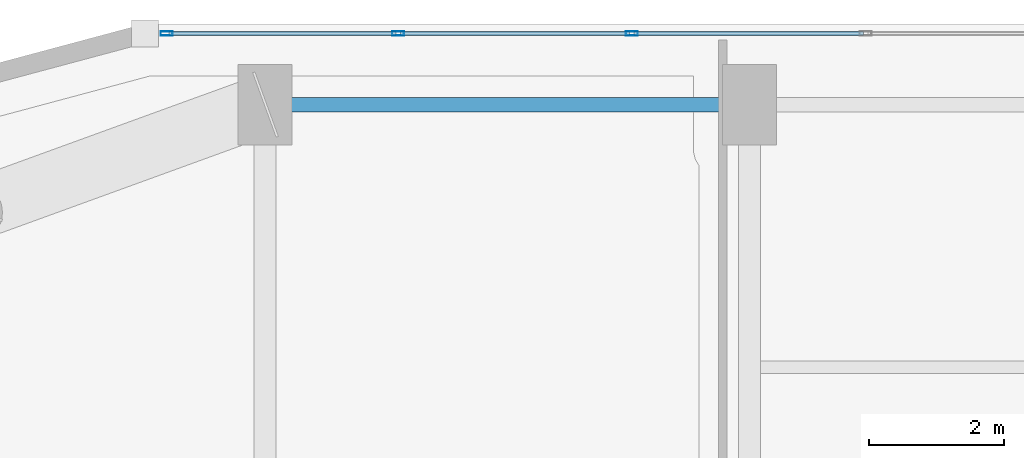
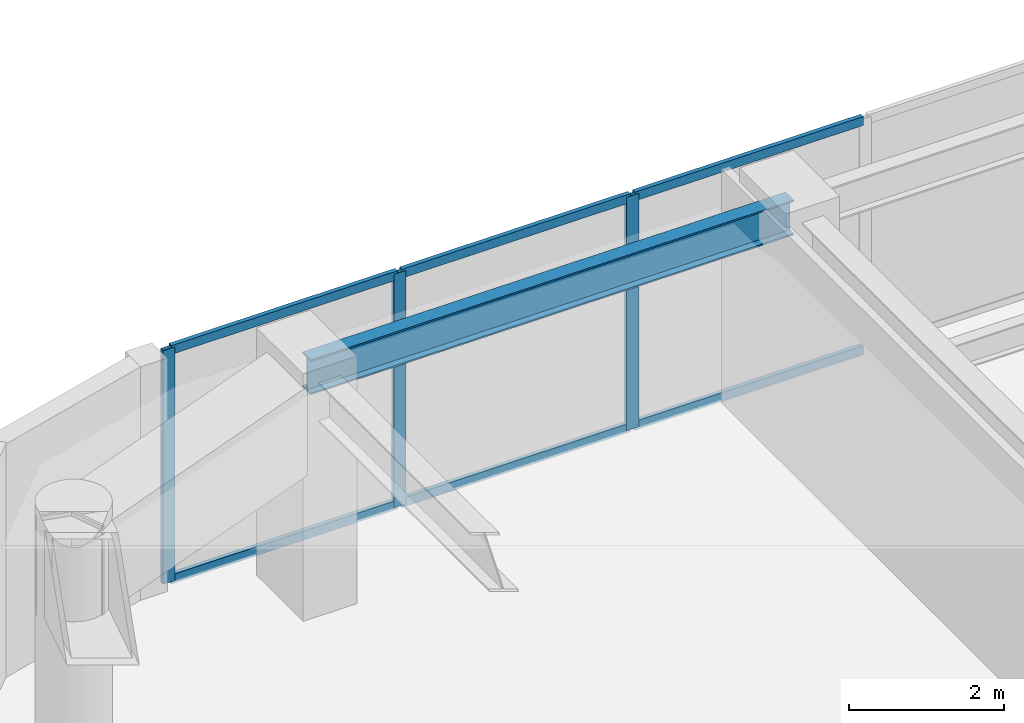
# One storey, part 17 of 30: 9 members, 1 beam, 1 element without a shape of its own.
"""IFC4 building model written with IfcOpenShell, lengths in metres."""

from ifc_helpers import new_model, si_unit, direction, frame, origin, origin_2d, place, context, subcontext, project, spatial, hollow_rectangle, i_section, extrude, material, layer, layer_set, material_profile, profile_set, type_object, element, aggregate, save


model = new_model("IFC4")

# Units and contexts
model_context = context("Model", 3, precision=1e-05, world=origin(), true_north=direction((0.0, 1.0)))
body_context = subcontext(model_context, "Body", "Model", "MODEL_VIEW")
ifc_project = project(units=[si_unit("LENGTHUNIT", "METRE"), si_unit("AREAUNIT", "SQUARE_METRE"), si_unit("VOLUMEUNIT", "CUBIC_METRE"), si_unit("PLANEANGLEUNIT", "RADIAN"), si_unit("MASSUNIT", "GRAM", prefix="KILO")], contexts=[model_context])

# Site, building, storey
site_placement = place(None, origin())
site = spatial("IfcSite", under=ifc_project, at=site_placement, CompositionType="ELEMENT")
building_placement = place(site_placement, origin())
building = spatial("IfcBuilding", under=site, at=building_placement, Name="Kiyonajd Concourse Tower", CompositionType="ELEMENT")
storey_placement = place(building_placement, frame((0.0, 0.0, 170.10009765625)))
storey = spatial("IfcBuildingStorey", under=building, at=storey_placement, Name="L43", CompositionType="ELEMENT", Elevation=170.10009765625)

# Beam
ifc_material_1 = material(Name="Steel ASTM A992 Grade 50", Category="steel")
ifc_material_profile_1 = material_profile(ifc_material_1, i_section(OverallWidth=0.214111328125, OverallDepth=0.549072265625, WebThickness=0.0146484375, FlangeThickness=0.023681640625, at=origin_2d()), Name="W530X138")
ifc_profile_set_1 = profile_set([ifc_material_profile_1], Name="Steel ASTM A992 Grade 50")
beam_type = type_object("IfcBeamType", Name="BM-SPAN-530A", PredefinedType="SPANDREL", material=ifc_profile_set_1)
beam_placement = place(storey_placement, frame((32.39990234375, 61.199951171875, 3.405517578125), z_axis=(-1.0, 0.0, 0.0), x_axis=(0.0, -1.0, 0.0)))
element("IfcBeam", 1, at=beam_placement, inside=storey, type_object=beam_type, Name="L43 Perimeter Bundled Tube Spandrel", PredefinedType="SPANDREL", context=body_context, shape_type="SweptSolid", body=[
    extrude(i_section(OverallWidth=0.214111328125, OverallDepth=0.549072265625, WebThickness=0.0146484375, FlangeThickness=0.023681640625, at=origin_2d()), origin(), (0.0, 0.0, 1.0), 7.199951171875),
])

# Curtain wall, members
ifc_material_2 = material(Name="Thermally Broken Anodised Aluminium", Category="aluminium")
ifc_layer = layer(ifc_material_2, 0.179931640625)
ifc_layer_set = layer_set([ifc_layer], Name="Thermally Broken Anodised Aluminium")
curtain_wall_type = type_object("IfcCurtainWallType", Name="CW-SYS-03", PredefinedType="NOTDEFINED", material=ifc_layer_set)
curtain_wall_placement = place(storey_placement, origin())
curtain_wall = element("IfcCurtainWall", 2, at=curtain_wall_placement, inside=storey, type_object=curtain_wall_type, Name="L43 Unitised Curtain Wall CW3", PredefinedType="NOTDEFINED")
ifc_material_profile_2 = material_profile(ifc_material_2, hollow_rectangle(XDim=0.06494140625, YDim=0.179931640625, WallThickness=0.00390625, at=origin_2d()), Name="MULL-65x180")
ifc_profile_set_2 = profile_set([ifc_material_profile_2], Name="Thermally Broken Anodised Aluminium")
member_type_1 = type_object("IfcMemberType", Name="MB-CW-MULL1", PredefinedType="MULLION", material=ifc_profile_set_2)
member_1_placement = place(storey_placement, frame((23.740966796875, 62.260009765625, 0.0), z_axis=(0.0, 0.0, 1.0), x_axis=(0.0, 1.0, 0.0)))
member_1 = element("IfcMember", 3, at=member_1_placement, type_object=member_type_1, Name="CW3 mullion 1", PredefinedType="MULLION", context=body_context, shape_type="SweptSolid", body=[
    extrude(hollow_rectangle(XDim=0.06494140625, YDim=0.179931640625, WallThickness=0.00390625, at=origin_2d()), origin(), (0.0, 0.0, 1.0), 3.679931640625),
])
member_2_placement = place(storey_placement, frame((27.180908203125, 62.260009765625, 0.0), z_axis=(0.0, 0.0, 1.0), x_axis=(0.0, 1.0, 0.0)))
member_2 = element("IfcMember", 4, at=member_2_placement, type_object=member_type_1, Name="CW3 mullion 2", PredefinedType="MULLION", context=body_context, shape_type="SweptSolid", body=[
    extrude(hollow_rectangle(XDim=0.06494140625, YDim=0.179931640625, WallThickness=0.00390625, at=origin_2d()), origin(), (0.0, 0.0, 1.0), 3.679931640625),
])
member_3_placement = place(storey_placement, frame((30.6533203125, 62.260009765625, 0.0), z_axis=(0.0, 0.0, 1.0), x_axis=(0.0, 1.0, 0.0)))
member_3 = element("IfcMember", 5, at=member_3_placement, type_object=member_type_1, Name="CW3 mullion 3", PredefinedType="MULLION", context=body_context, shape_type="SweptSolid", body=[
    extrude(hollow_rectangle(XDim=0.06494140625, YDim=0.179931640625, WallThickness=0.00390625, at=origin_2d()), origin(), (0.0, 0.0, 1.0), 3.679931640625),
])
ifc_material_profile_3 = material_profile(ifc_material_2, hollow_rectangle(XDim=0.06494140625, YDim=0.139892578125, WallThickness=0.00390625, at=origin_2d()), Name="TRAN-65x140")
ifc_profile_set_3 = profile_set([ifc_material_profile_3], Name="Thermally Broken Anodised Aluminium")
member_type_2 = type_object("IfcMemberType", Name="MB-CW-TRAN1", PredefinedType="USERDEFINED", material=ifc_profile_set_3)
member_4_placement = place(storey_placement, frame((23.7734375, 62.260009765625, 0.032470703125), z_axis=(1.0, 0.0, 0.0), x_axis=(0.0, 1.0, 0.0)))
member_4 = element("IfcMember", 6, at=member_4_placement, type_object=member_type_2, Name="CW3 transom 1.1", ObjectType="TRANSOM", PredefinedType="USERDEFINED", context=body_context, shape_type="SweptSolid", body=[
    extrude(hollow_rectangle(XDim=0.06494140625, YDim=0.139892578125, WallThickness=0.00390625, at=origin_2d()), origin(), (0.0, 0.0, 1.0), 3.374755859375),
])
member_5_placement = place(storey_placement, frame((23.7734375, 62.260009765625, 3.6474609375), z_axis=(1.0, 0.0, 0.0), x_axis=(0.0, 1.0, 0.0)))
member_5 = element("IfcMember", 7, at=member_5_placement, type_object=member_type_2, Name="CW3 transom 1.2", ObjectType="TRANSOM", PredefinedType="USERDEFINED", context=body_context, shape_type="SweptSolid", body=[
    extrude(hollow_rectangle(XDim=0.06494140625, YDim=0.139892578125, WallThickness=0.00390625, at=origin_2d()), origin(), (0.0, 0.0, 1.0), 3.374755859375),
])
member_6_placement = place(storey_placement, frame((27.21337890625, 62.260009765625, 0.032470703125), z_axis=(1.0, 0.0, 0.0), x_axis=(0.0, 1.0, 0.0)))
member_6 = element("IfcMember", 8, at=member_6_placement, type_object=member_type_2, Name="CW3 transom 2.1", ObjectType="TRANSOM", PredefinedType="USERDEFINED", context=body_context, shape_type="SweptSolid", body=[
    extrude(hollow_rectangle(XDim=0.06494140625, YDim=0.139892578125, WallThickness=0.00390625, at=origin_2d()), origin(), (0.0, 0.0, 1.0), 3.4072265625),
])
member_7_placement = place(storey_placement, frame((27.21337890625, 62.260009765625, 3.6474609375), z_axis=(1.0, 0.0, 0.0), x_axis=(0.0, 1.0, 0.0)))
member_7 = element("IfcMember", 9, at=member_7_placement, type_object=member_type_2, Name="CW3 transom 2.2", ObjectType="TRANSOM", PredefinedType="USERDEFINED", context=body_context, shape_type="SweptSolid", body=[
    extrude(hollow_rectangle(XDim=0.06494140625, YDim=0.139892578125, WallThickness=0.00390625, at=origin_2d()), origin(), (0.0, 0.0, 1.0), 3.4072265625),
])
member_8_placement = place(storey_placement, frame((30.685791015625, 62.260009765625, 0.032470703125), z_axis=(1.0, 0.0, 0.0), x_axis=(0.0, 1.0, 0.0)))
member_8 = element("IfcMember", 10, at=member_8_placement, type_object=member_type_2, Name="CW3 transom 3.1", ObjectType="TRANSOM", PredefinedType="USERDEFINED", context=body_context, shape_type="SweptSolid", body=[
    extrude(hollow_rectangle(XDim=0.06494140625, YDim=0.139892578125, WallThickness=0.00390625, at=origin_2d()), origin(), (0.0, 0.0, 1.0), 3.4072265625),
])
member_9_placement = place(storey_placement, frame((30.685791015625, 62.260009765625, 3.6474609375), z_axis=(1.0, 0.0, 0.0), x_axis=(0.0, 1.0, 0.0)))
member_9 = element("IfcMember", 11, at=member_9_placement, type_object=member_type_2, Name="CW3 transom 3.2", ObjectType="TRANSOM", PredefinedType="USERDEFINED", context=body_context, shape_type="SweptSolid", body=[
    extrude(hollow_rectangle(XDim=0.06494140625, YDim=0.139892578125, WallThickness=0.00390625, at=origin_2d()), origin(), (0.0, 0.0, 1.0), 3.4072265625),
])
aggregate(curtain_wall, [member_1, member_2, member_3, member_4, member_5, member_6, member_7, member_8, member_9])

save(model, "model.ifc")
